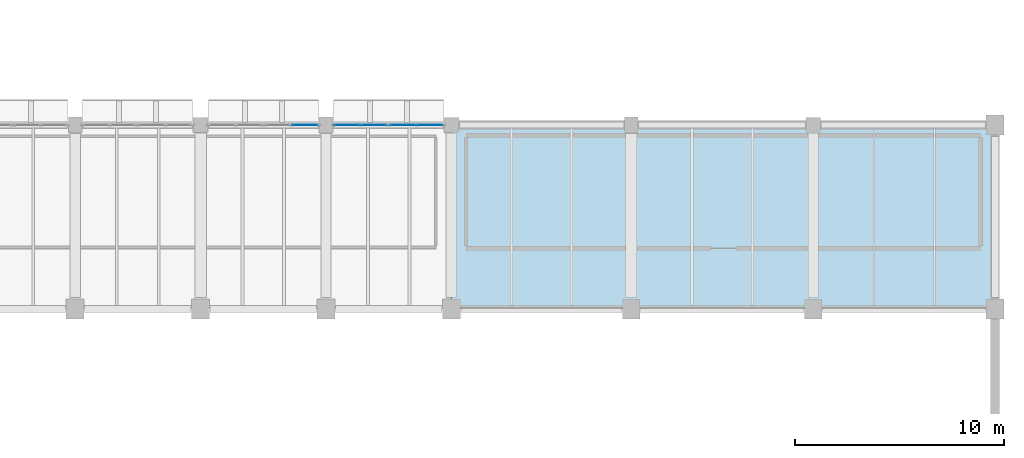
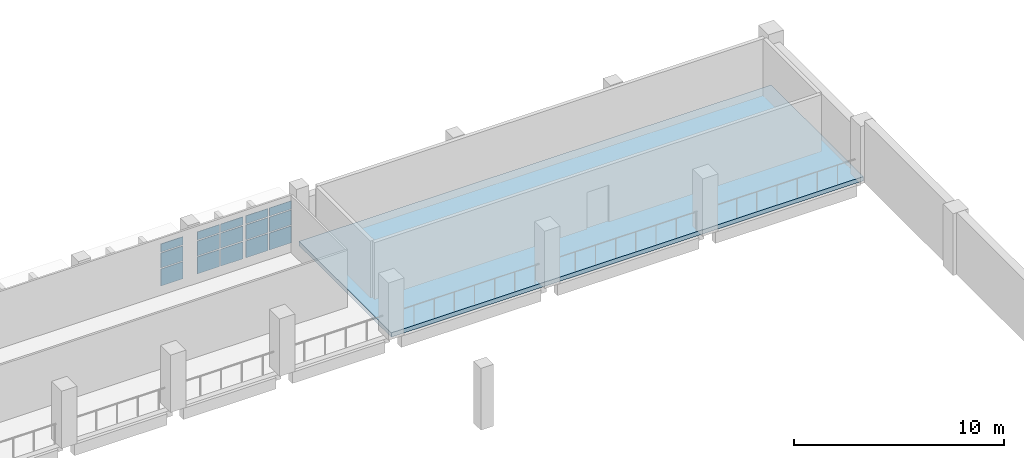
# One storey, part 52 of 75: 15 plates, 1 slab, 3 elements without a shape of their own.
"""IFC4 building model written with IfcOpenShell, lengths in metres."""

from ifc_helpers import new_model, si_unit, direction, frame, origin, origin_2d, place, context, subcontext, project, spatial, polyline, rectangle, outline, extrude, material, layer, layer_set, type_object, element, aggregate, save


model = new_model("IFC4")

# Units and contexts
model_context = context("Model", 3, precision=1e-05, world=origin(), true_north=direction((0.0, 1.0)))
body_context = subcontext(model_context, "Body", "Model", "MODEL_VIEW")
ifc_project = project(units=[si_unit("LENGTHUNIT", "METRE"), si_unit("AREAUNIT", "SQUARE_METRE"), si_unit("VOLUMEUNIT", "CUBIC_METRE"), si_unit("PLANEANGLEUNIT", "RADIAN"), si_unit("MASSUNIT", "GRAM", prefix="KILO")], contexts=[model_context])

# Site, building, storey
site_placement = place(None, origin())
site = spatial("IfcSite", under=ifc_project, at=site_placement, CompositionType="ELEMENT")
building_placement = place(site_placement, origin())
building = spatial("IfcBuilding", under=site, at=building_placement, Name="Varnakota Cinema and Media Centre", CompositionType="ELEMENT")
storey_placement = place(building_placement, frame((0.0, 0.0, 8.39990234375)))
storey = spatial("IfcBuildingStorey", under=building, at=storey_placement, Name="L02", CompositionType="ELEMENT", Elevation=8.39990234375)

# Curtain wall, plates
ifc_material_1 = material(Name="Thermally broken anodised aluminium AW-6063", Category="aluminium")
curtain_wall_type = type_object("IfcCurtainWallType", Name="CW-STD-264x258", PredefinedType="USERDEFINED", material=ifc_material_1)
curtain_wall_1_placement = place(storey_placement, origin())
curtain_wall_1 = element("IfcCurtainWall", 1, at=curtain_wall_1_placement, inside=storey, type_object=curtain_wall_type, Name="L02 curtain wall CW-L02-V1-N-09-2", ObjectType="UNITISED CURTAIN WALL", PredefinedType="USERDEFINED")
ifc_material_2 = material(Name="Laminated solar-control double glazing", Category="glass")
ifc_layer_1 = layer(ifc_material_2, 0.028076171875)
ifc_layer_set_1 = layer_set([ifc_layer_1], Name="Laminated solar-control double glazing")
plate_type = type_object("IfcPlateType", Name="CWP-DGU-28", PredefinedType="CURTAIN_PANEL", material=ifc_layer_set_1)
plate_1_placement = place(storey_placement, frame((127.998046875, 44.0, 0.065185546875), z_axis=(0.0, 0.0, 1.0), x_axis=(1.0, 0.0, 0.0)))
plate_1 = element("IfcPlate", 2, at=plate_1_placement, type_object=plate_type, Name="CW29 panel 2.1", PredefinedType="CURTAIN_PANEL", context=body_context, shape_type="SweptSolid", body=[
    extrude(rectangle(XDim=1.2236328125, YDim=0.028076171875, at=origin_2d()), origin(), (0.0, 0.0, 1.0), 0.98388671875),
])
plate_2_placement = place(storey_placement, frame((127.998046875, 44.0, 1.1142578125), z_axis=(0.0, 0.0, 1.0), x_axis=(1.0, 0.0, 0.0)))
plate_2 = element("IfcPlate", 3, at=plate_2_placement, type_object=plate_type, Name="CW29 panel 2.2", PredefinedType="CURTAIN_PANEL", context=body_context, shape_type="SweptSolid", body=[
    extrude(rectangle(XDim=1.2236328125, YDim=0.028076171875, at=origin_2d()), origin(), (0.0, 0.0, 1.0), 0.862060546875),
])
plate_3_placement = place(storey_placement, frame((127.998046875, 44.0, 2.041015625), z_axis=(0.0, 0.0, 1.0), x_axis=(1.0, 0.0, 0.0)))
plate_3 = element("IfcPlate", 4, at=plate_3_placement, type_object=plate_type, Name="CW29 panel 2.3", PredefinedType="CURTAIN_PANEL", context=body_context, shape_type="SweptSolid", body=[
    extrude(rectangle(XDim=1.2236328125, YDim=0.028076171875, at=origin_2d()), origin(), (0.0, 0.0, 1.0), 0.468994140625),
])
aggregate(curtain_wall_1, [plate_1, plate_2, plate_3])

curtain_wall_2_placement = place(storey_placement, origin())
curtain_wall_2 = element("IfcCurtainWall", 5, at=curtain_wall_2_placement, inside=storey, type_object=curtain_wall_type, Name="L02 curtain wall CW-L02-V1-N-10-1", ObjectType="UNITISED CURTAIN WALL", PredefinedType="USERDEFINED")
plate_4_placement = place(storey_placement, frame((130.001953125, 44.0, 0.065185546875), z_axis=(0.0, 0.0, 1.0), x_axis=(1.0, 0.0, 0.0)))
plate_4 = element("IfcPlate", 6, at=plate_4_placement, type_object=plate_type, Name="CW29 panel 1.1", PredefinedType="CURTAIN_PANEL", context=body_context, shape_type="SweptSolid", body=[
    extrude(rectangle(XDim=1.2236328125, YDim=0.028076171875, at=origin_2d()), origin(), (0.0, 0.0, 1.0), 0.98388671875),
])
plate_5_placement = place(storey_placement, frame((130.001953125, 44.0, 1.1142578125), z_axis=(0.0, 0.0, 1.0), x_axis=(1.0, 0.0, 0.0)))
plate_5 = element("IfcPlate", 7, at=plate_5_placement, type_object=plate_type, Name="CW29 panel 1.2", PredefinedType="CURTAIN_PANEL", context=body_context, shape_type="SweptSolid", body=[
    extrude(rectangle(XDim=1.2236328125, YDim=0.028076171875, at=origin_2d()), origin(), (0.0, 0.0, 1.0), 0.862060546875),
])
plate_6_placement = place(storey_placement, frame((130.001953125, 44.0, 2.041015625), z_axis=(0.0, 0.0, 1.0), x_axis=(1.0, 0.0, 0.0)))
plate_6 = element("IfcPlate", 8, at=plate_6_placement, type_object=plate_type, Name="CW29 panel 1.3", PredefinedType="CURTAIN_PANEL", context=body_context, shape_type="SweptSolid", body=[
    extrude(rectangle(XDim=1.2236328125, YDim=0.028076171875, at=origin_2d()), origin(), (0.0, 0.0, 1.0), 0.468994140625),
])
plate_7_placement = place(storey_placement, frame((131.29052734375, 44.0, 0.065185546875), z_axis=(0.0, 0.0, 1.0), x_axis=(1.0, 0.0, 0.0)))
plate_7 = element("IfcPlate", 9, at=plate_7_placement, type_object=plate_type, Name="CW29 panel 2.1", PredefinedType="CURTAIN_PANEL", context=body_context, shape_type="SweptSolid", body=[
    extrude(rectangle(XDim=1.2236328125, YDim=0.028076171875, at=origin_2d()), origin(), (0.0, 0.0, 1.0), 0.98388671875),
])
plate_8_placement = place(storey_placement, frame((131.29052734375, 44.0, 1.1142578125), z_axis=(0.0, 0.0, 1.0), x_axis=(1.0, 0.0, 0.0)))
plate_8 = element("IfcPlate", 10, at=plate_8_placement, type_object=plate_type, Name="CW29 panel 2.2", PredefinedType="CURTAIN_PANEL", context=body_context, shape_type="SweptSolid", body=[
    extrude(rectangle(XDim=1.2236328125, YDim=0.028076171875, at=origin_2d()), origin(), (0.0, 0.0, 1.0), 0.862060546875),
])
plate_9_placement = place(storey_placement, frame((131.29052734375, 44.0, 2.041015625), z_axis=(0.0, 0.0, 1.0), x_axis=(1.0, 0.0, 0.0)))
plate_9 = element("IfcPlate", 11, at=plate_9_placement, type_object=plate_type, Name="CW29 panel 2.3", PredefinedType="CURTAIN_PANEL", context=body_context, shape_type="SweptSolid", body=[
    extrude(rectangle(XDim=1.2236328125, YDim=0.028076171875, at=origin_2d()), origin(), (0.0, 0.0, 1.0), 0.468994140625),
])
aggregate(curtain_wall_2, [plate_4, plate_5, plate_6, plate_7, plate_8, plate_9])

curtain_wall_3_placement = place(storey_placement, origin())
curtain_wall_3 = element("IfcCurtainWall", 12, at=curtain_wall_3_placement, inside=storey, type_object=curtain_wall_type, Name="L02 curtain wall CW-L02-V1-N-10-2", ObjectType="UNITISED CURTAIN WALL", PredefinedType="USERDEFINED")
plate_10_placement = place(storey_placement, frame((132.684326171875, 44.0, 0.065185546875), z_axis=(0.0, 0.0, 1.0), x_axis=(1.0, 0.0, 0.0)))
plate_10 = element("IfcPlate", 13, at=plate_10_placement, type_object=plate_type, Name="CW29 panel 1.1", PredefinedType="CURTAIN_PANEL", context=body_context, shape_type="SweptSolid", body=[
    extrude(rectangle(XDim=1.2236328125, YDim=0.028076171875, at=origin_2d()), origin(), (0.0, 0.0, 1.0), 0.98388671875),
])
plate_11_placement = place(storey_placement, frame((132.684326171875, 44.0, 1.1142578125), z_axis=(0.0, 0.0, 1.0), x_axis=(1.0, 0.0, 0.0)))
plate_11 = element("IfcPlate", 14, at=plate_11_placement, type_object=plate_type, Name="CW29 panel 1.2", PredefinedType="CURTAIN_PANEL", context=body_context, shape_type="SweptSolid", body=[
    extrude(rectangle(XDim=1.2236328125, YDim=0.028076171875, at=origin_2d()), origin(), (0.0, 0.0, 1.0), 0.862060546875),
])
plate_12_placement = place(storey_placement, frame((132.684326171875, 44.0, 2.041015625), z_axis=(0.0, 0.0, 1.0), x_axis=(1.0, 0.0, 0.0)))
plate_12 = element("IfcPlate", 15, at=plate_12_placement, type_object=plate_type, Name="CW29 panel 1.3", PredefinedType="CURTAIN_PANEL", context=body_context, shape_type="SweptSolid", body=[
    extrude(rectangle(XDim=1.2236328125, YDim=0.028076171875, at=origin_2d()), origin(), (0.0, 0.0, 1.0), 0.468994140625),
])
plate_13_placement = place(storey_placement, frame((133.97314453125, 44.0, 0.065185546875), z_axis=(0.0, 0.0, 1.0), x_axis=(1.0, 0.0, 0.0)))
plate_13 = element("IfcPlate", 16, at=plate_13_placement, type_object=plate_type, Name="CW29 panel 2.1", PredefinedType="CURTAIN_PANEL", context=body_context, shape_type="SweptSolid", body=[
    extrude(rectangle(XDim=1.2236328125, YDim=0.028076171875, at=origin_2d()), origin(), (0.0, 0.0, 1.0), 0.98388671875),
])
plate_14_placement = place(storey_placement, frame((133.97314453125, 44.0, 1.1142578125), z_axis=(0.0, 0.0, 1.0), x_axis=(1.0, 0.0, 0.0)))
plate_14 = element("IfcPlate", 17, at=plate_14_placement, type_object=plate_type, Name="CW29 panel 2.2", PredefinedType="CURTAIN_PANEL", context=body_context, shape_type="SweptSolid", body=[
    extrude(rectangle(XDim=1.2236328125, YDim=0.028076171875, at=origin_2d()), origin(), (0.0, 0.0, 1.0), 0.862060546875),
])
plate_15_placement = place(storey_placement, frame((133.97314453125, 44.0, 2.041015625), z_axis=(0.0, 0.0, 1.0), x_axis=(1.0, 0.0, 0.0)))
plate_15 = element("IfcPlate", 18, at=plate_15_placement, type_object=plate_type, Name="CW29 panel 2.3", PredefinedType="CURTAIN_PANEL", context=body_context, shape_type="SweptSolid", body=[
    extrude(rectangle(XDim=1.2236328125, YDim=0.028076171875, at=origin_2d()), origin(), (0.0, 0.0, 1.0), 0.468994140625),
])
aggregate(curtain_wall_3, [plate_10, plate_11, plate_12, plate_13, plate_14, plate_15])

# Slab
ifc_material_3 = material(Name="Concrete M35", Category="concrete")
ifc_layer_2 = layer(ifc_material_3, 0.25)
ifc_layer_set_2 = layer_set([ifc_layer_2], Name="Concrete M35")
slab_type = type_object("IfcSlabType", Name="SLB-FLR-250", PredefinedType="FLOOR", material=ifc_layer_set_2)
slab_placement = place(storey_placement, frame((0.0, 0.0, -0.25)))
element("IfcSlab", 19, at=slab_placement, inside=storey, type_object=slab_type, Name="L02 V2-GAL floor slab", PredefinedType="FLOOR", context=body_context, shape_type="SweptSolid", body=[
    extrude(outline(polyline([(135.0, 35.199951171875), (161.0, 35.199951171875), (161.0, 44.0), (135.0, 44.0), (135.0, 35.199951171875)])), origin(), (0.0, 0.0, 1.0), 0.25),
])

save(model, "model.ifc")
